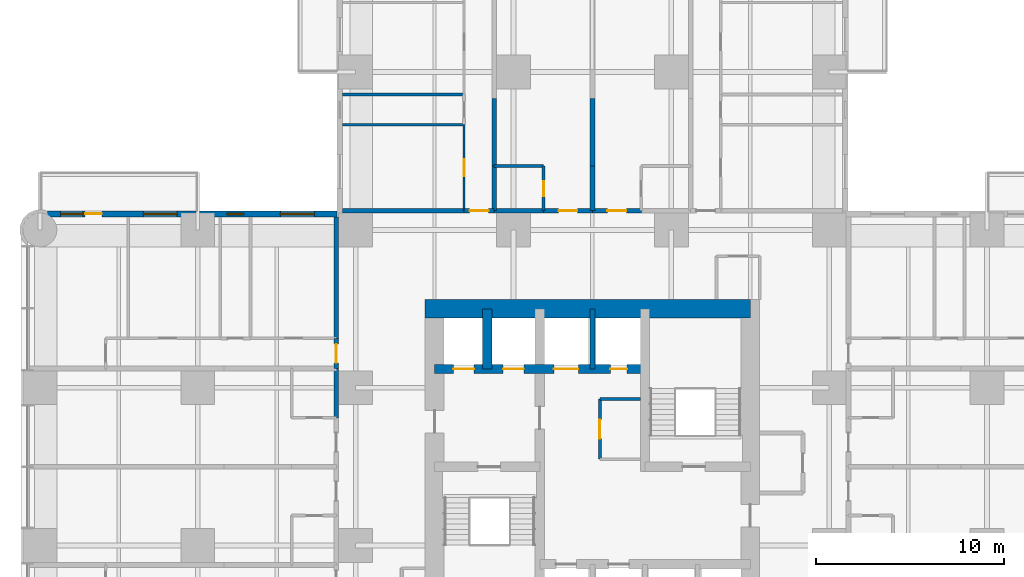
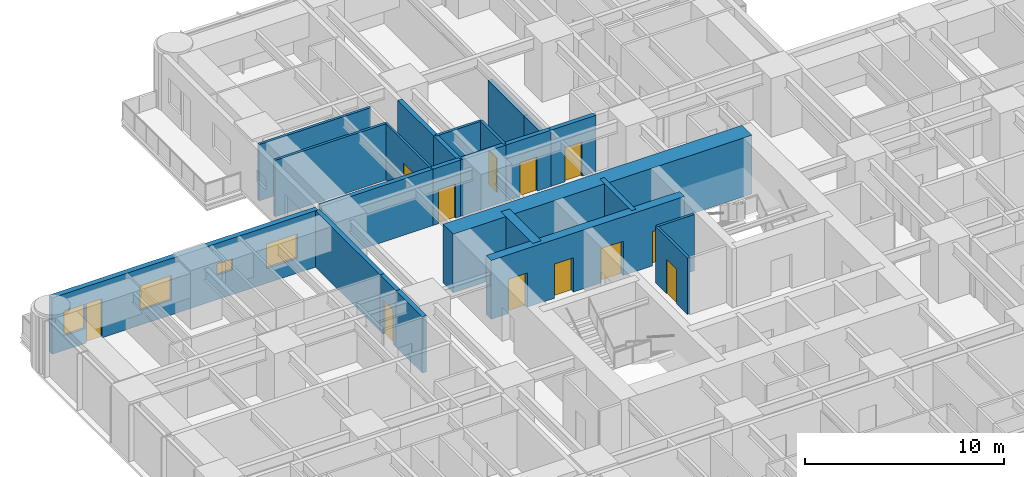
# One storey, part 12 of 17: 24 walls, 12 doors, 4 windows, 16 openings.
"""IFC4 building model written with IfcOpenShell, lengths in metres."""

import ifcopenshell
import ifcopenshell.guid

model = None  # the IFC model being written
_history = None  # IfcOwnerHistory: only IFC2X3 demands one
_inside = {}  # id of a spatial element -> (the spatial element, [elements in it])
_under = {}  # id of a project, library or spatial element -> (it, [spatial elements below it])
_declared = {}  # id of a project -> (the project, [libraries it declares])
_typed = {}  # id of a type object -> (the type object, [elements of that type])
_made_of = {}  # id of a material, layer set ... -> (it, [elements and type objects made of it])


def new_model(schema):
    """Start an empty IFC model of exactly this schema.

    Asked for "IFC4X3", IfcOpenShell would pick the latest addendum, in which some entities
    have other attributes; the version numbers below select the first issue.
    IFC2X3 requires an IfcOwnerHistory on every rooted entity: one is made here for all.
    """
    global model, _history
    if schema == "IFC4X3":
        model = ifcopenshell.file(schema_version=(4, 3, 0, 0))
    else:
        model = ifcopenshell.file(schema=schema)
    _inside.clear()
    _under.clear()
    _declared.clear()
    _typed.clear()
    _made_of.clear()
    _history = None
    if model.schema == "IFC2X3":
        org = make("IfcOrganization", Name="unknown")
        user = make(
            "IfcPersonAndOrganization",
            ThePerson=make("IfcPerson", FamilyName="unknown"),
            TheOrganization=org,
        )
        app = make(
            "IfcApplication",
            ApplicationDeveloper=org,
            Version="unknown",
            ApplicationFullName="unknown",
            ApplicationIdentifier="unknown",
        )
        _history = make(
            "IfcOwnerHistory",
            OwningUser=user,
            OwningApplication=app,
            ChangeAction="ADDED",
            CreationDate=0,
        )
    return model


def make(cls, **values):
    """One entity of the class cls with the attributes given. An attribute that is None is left unset."""
    return model.create_entity(
        cls, **{name: value for name, value in values.items() if value is not None}
    )


def rooted(cls, **values):
    """An entity with a GlobalId (a new one), such as an element, a storey or a relation."""
    return make(cls, GlobalId=ifcopenshell.guid.new(), OwnerHistory=_history, **values)


def si_unit(unit_type, name, prefix=None):
    """IfcSIUnit, for example si_unit("LENGTHUNIT", "METRE", prefix="MILLI")."""
    return make("IfcSIUnit", UnitType=unit_type, Prefix=prefix, Name=name)


def assignment(units):
    """IfcUnitAssignment: the units of a project."""
    return None if units is None else make("IfcUnitAssignment", Units=units)


def point(xyz):
    """IfcCartesianPoint."""
    return None if xyz is None else make("IfcCartesianPoint", Coordinates=xyz)


def direction(xyz):
    """IfcDirection."""
    return None if xyz is None else make("IfcDirection", DirectionRatios=xyz)


def frame(location, z_axis=None, x_axis=None):
    """IfcAxis2Placement3D, a coordinate frame: its origin and axes. An axis left out is left unset."""
    return make(
        "IfcAxis2Placement3D",
        Location=point(location),
        Axis=direction(z_axis),
        RefDirection=direction(x_axis),
    )


def frame_2d(location, x_axis=None):
    """IfcAxis2Placement2D, a coordinate frame in the plane: its origin and x axis."""
    return make(
        "IfcAxis2Placement2D", Location=point(location), RefDirection=direction(x_axis)
    )


def origin():
    """The frame at (0, 0, 0) with its axes left unset."""
    return frame((0.0, 0.0, 0.0))


def place(relative_to, where):
    """IfcLocalPlacement: puts the frame where relative to a parent placement (None: the world)."""
    return make(
        "IfcLocalPlacement", PlacementRelTo=relative_to, RelativePlacement=where
    )


def context(
    kind, dimensions, precision=None, world=None, true_north=None, identifier=None
):
    """IfcGeometricRepresentationContext, for example the 3D "Model" context."""
    return make(
        "IfcGeometricRepresentationContext",
        ContextIdentifier=identifier,
        ContextType=kind,
        CoordinateSpaceDimension=dimensions,
        Precision=precision,
        WorldCoordinateSystem=world,
        TrueNorth=true_north,
    )


def subcontext(parent, identifier, kind, view, scale=None):
    """IfcGeometricRepresentationSubContext, for example "Body" below "Model"."""
    return make(
        "IfcGeometricRepresentationSubContext",
        ContextIdentifier=identifier,
        ContextType=kind,
        ParentContext=parent,
        TargetScale=scale,
        TargetView=view,
    )


def project(units=None, contexts=None):
    """IfcProject with its units and contexts."""
    return rooted(
        "IfcProject",
        Name="project",
        RepresentationContexts=contexts,
        UnitsInContext=assignment(units),
    )


def spatial(cls, under=None, at=None, **own):
    """A site, building, storey or space (cls), placed at a placement, below another one or the project."""
    s = rooted(cls, ObjectPlacement=at, **own)
    if under is not None:
        _under.setdefault(under.id(), (under, []))[1].append(s)
    return s


def profile(cls, at=None, kind="AREA", **sizes):
    """A parametric profile (cls). Its sizes go by their IFC names, for example OverallWidth=200.0."""
    return make(cls, ProfileType=kind, Position=at, **sizes)


def rectangle(**sizes):
    """IfcRectangleProfileDef."""
    return profile("IfcRectangleProfileDef", **sizes)


def extrude(swept, where, along, depth):
    """IfcExtrudedAreaSolid: the profile swept, set in the frame where, extruded along a direction by depth."""
    return make(
        "IfcExtrudedAreaSolid",
        SweptArea=swept,
        Position=where,
        ExtrudedDirection=direction(along),
        Depth=depth,
    )


def shape(context_of_items, identifier, shape_type, items):
    """IfcShapeRepresentation: the items that make up one representation, for example the "Body"."""
    return make(
        "IfcShapeRepresentation",
        ContextOfItems=context_of_items,
        RepresentationIdentifier=identifier,
        RepresentationType=shape_type,
        Items=items,
    )


def material(Name=None, Category=None):
    """IfcMaterial."""
    return make("IfcMaterial", Name=Name, Category=Category)


def layer(
    of_material, thickness, ventilated=None, Name=None, Category=None, Priority=None
):
    """IfcMaterialLayer: one layer of a wall or slab, of a material (None: an air gap)."""
    return make(
        "IfcMaterialLayer",
        Material=of_material,
        LayerThickness=thickness,
        IsVentilated=ventilated,
        Name=Name,
        Category=Category,
        Priority=Priority,
    )


def layer_set(layers, Name=None):
    """IfcMaterialLayerSet."""
    return make("IfcMaterialLayerSet", MaterialLayers=layers, LayerSetName=Name)


def made_of(thing, what):
    """Note that an element or type object is made of a material, layer set ...; save() writes the relation."""
    if what is not None:
        _made_of.setdefault(what.id(), (what, []))[1].append(thing)
    return thing


def type_object(cls, material=None, **own):
    """A type object (cls), such as IfcWallType, which elements share."""
    return made_of(rooted(cls, **own), material)


def element(
    cls,
    number,
    at=None,
    inside=None,
    cuts=None,
    type_object=None,
    material=None,
    context=None,
    identifier="Body",
    shape_type=None,
    held_by="IfcProductDefinitionShape",
    body=None,
    shapes=None,
    **own,
):
    """One element of the class cls, such as IfcWall. Its Tag is "e" and its number.

    at: its placement. inside: the storey or other place that contains it. cuts: it is an
    opening in that element (IfcRelVoidsElement). A single representation is given by context,
    identifier, shape_type and body (its items); several are given by shapes. held_by: the class
    of the entity that holds the representations. save() writes the other relations.
    """
    e = rooted(cls, Tag="e%d" % number, ObjectPlacement=at, **own)
    if body is not None:
        shapes = [shape(context, identifier, shape_type, body)]
    if shapes is not None:
        e.Representation = make(held_by, Representations=shapes)
    if inside is not None:
        _inside.setdefault(inside.id(), (inside, []))[1].append(e)
    if cuts is not None:
        rooted(
            "IfcRelVoidsElement", RelatingBuildingElement=cuts, RelatedOpeningElement=e
        )
    if type_object is not None:
        _typed.setdefault(type_object.id(), (type_object, []))[1].append(e)
    return made_of(e, material)


def fill(opening, filler):
    """IfcRelFillsElement: the door or window that sits in an opening."""
    return rooted(
        "IfcRelFillsElement",
        RelatingOpeningElement=opening,
        RelatedBuildingElement=filler,
    )


def aggregate(whole, parts):
    """IfcRelAggregates: a whole, such as a stair, and the parts it consists of."""
    return rooted("IfcRelAggregates", RelatingObject=whole, RelatedObjects=parts)


def save(model, path):
    """Write the relations noted so far, then the file.

    IfcRelAggregates (storeys below a building ...), IfcRelContainedInSpatialStructure (elements
    in a storey), IfcRelDefinesByType, IfcRelAssociatesMaterial and IfcRelDeclares: one each for
    every whole, place, type object, material and project.
    """
    for whole, parts in _under.values():
        aggregate(whole, parts)
    for where, things in _inside.values():
        rooted(
            "IfcRelContainedInSpatialStructure",
            RelatedElements=things,
            RelatingStructure=where,
        )
    for kind, things in _typed.values():
        rooted("IfcRelDefinesByType", RelatedObjects=things, RelatingType=kind)
    for what, things in _made_of.values():
        rooted("IfcRelAssociatesMaterial", RelatedObjects=things, RelatingMaterial=what)
    for by, libraries in _declared.values():
        rooted("IfcRelDeclares", RelatingContext=by, RelatedDefinitions=libraries)
    model.write(path)


model = new_model("IFC4")

# Units and contexts
model_context = context("Model", 3, precision=1e-05, world=origin(), true_north=direction((0.0, 1.0)))
body_context = subcontext(model_context, "Body", "Model", "MODEL_VIEW")
ifc_project = project(units=[si_unit("LENGTHUNIT", "METRE"), si_unit("AREAUNIT", "SQUARE_METRE"), si_unit("VOLUMEUNIT", "CUBIC_METRE"), si_unit("PLANEANGLEUNIT", "RADIAN"), si_unit("MASSUNIT", "GRAM", prefix="KILO")], contexts=[model_context])

# Site, building, storey
site_placement = place(None, origin())
site = spatial("IfcSite", under=ifc_project, at=site_placement, CompositionType="ELEMENT")
building_placement = place(site_placement, origin())
building = spatial("IfcBuilding", under=site, at=building_placement, Name="Torre Alcanfor", CompositionType="ELEMENT")
storey_placement = place(building_placement, frame((0.0, 0.0, 84.89990234375)))
storey = spatial("IfcBuildingStorey", under=building, at=storey_placement, Name="L21", CompositionType="ELEMENT", Elevation=84.89990234375)

# Wall, opening, door
ifc_material_1 = material(Name="Concrete block masonry, hollow blocks NMX-C-404 9 MPa", Category="masonry")
ifc_layer_1 = layer(ifc_material_1, 0.25)
ifc_layer_set_1 = layer_set([ifc_layer_1], Name="Apartment entrance wall 250 EI 60")
wall_type_1 = type_object("IfcWallType", Name="Apartment entrance wall 250 EI 60", PredefinedType="PARTITIONING", material=ifc_layer_set_1)
wall_1_placement = place(storey_placement, frame((26.800048828125, 43.02490234375, 0.0), z_axis=(0.0, 0.0, 1.0), x_axis=(1.0, 0.0, 0.0)))
wall_1 = element("IfcWall", 1, at=wall_1_placement, inside=storey, type_object=wall_type_1, Name="Partition L21-CORR / L21-N1A-FOYER", PredefinedType="PARTITIONING", context=body_context, shape_type="SweptSolid", body=[
    extrude(rectangle(XDim=2.599853515625, YDim=0.25, at=frame_2d((1.2998046875, 0.0))), origin(), (0.0, 0.0, 1.0), 3.4501953125),
])
opening_1_placement = place(wall_1_placement, frame((0.800048828125, 0.0, 0.0)))
opening_1 = element("IfcOpeningElement", 2, at=opening_1_placement, cuts=wall_1, Name="Opening D-A1", PredefinedType="OPENING", context=body_context, shape_type="SweptSolid", body=[
    extrude(rectangle(XDim=1.0, YDim=2.10009765625, at=frame_2d((0.5, 1.050048828125))), frame((0.0, 0.135009765625, 0.0), z_axis=(0.0, -1.0, 0.0), x_axis=(1.0, 0.0, 0.0)), (0.0, 0.0, 1.0), 0.27001953125),
])
ifc_material_2 = material(Name="Galvanised steel sheet ASTM A653", Category="steel")
door_type_1 = type_object("IfcDoorType", Name="Apartment entrance door FD60 1000x2100", OperationType="SINGLE_SWING_LEFT", PredefinedType="DOOR", material=ifc_material_2)
door_1_placement = place(opening_1_placement, origin())
door_1 = element("IfcDoor", 3, at=door_1_placement, inside=storey, type_object=door_type_1, Name="Apartment entrance L21-N1A", OperationType="SINGLE_SWING_LEFT", OverallHeight=2.10009765625, OverallWidth=1.0, PredefinedType="DOOR", context=body_context, shape_type="SweptSolid", body=[
    extrude(rectangle(XDim=1.0, YDim=2.10009765625, at=frame_2d((0.5, 1.050048828125))), frame((0.0, 0.02490234375, 0.0), z_axis=(0.0, -1.0, 0.0), x_axis=(1.0, 0.0, 0.0)), (0.0, 0.0, 1.0), 0.050048828125),
])
fill(opening_1, door_1)

# Wall
wall_2_placement = place(storey_placement, frame((24.1708984375, 43.02490234375, 0.0), z_axis=(0.0, 0.0, 1.0), x_axis=(1.0, 0.0, 0.0)))
element("IfcWall", 4, at=wall_2_placement, inside=storey, type_object=wall_type_1, Name="Partition L21-CORR / L21-N1A-BATH", PredefinedType="PARTITIONING", context=body_context, shape_type="SweptSolid", body=[
    extrude(rectangle(XDim=2.629150390625, YDim=0.25, at=frame_2d((1.314453125, 0.0))), origin(), (0.0, 0.0, 1.0), 3.4501953125),
])

# Wall, opening, door
wall_3_placement = place(storey_placement, frame((22.571044921875, 43.02490234375, 0.0), z_axis=(0.0, 0.0, 1.0), x_axis=(1.0, 0.0, 0.0)))
wall_3 = element("IfcWall", 5, at=wall_3_placement, inside=storey, type_object=wall_type_1, Name="Partition L21-CORR / L21-N1B-HALL", PredefinedType="PARTITIONING", context=body_context, shape_type="SweptSolid", body=[
    extrude(rectangle(XDim=1.599853515625, YDim=0.25, at=frame_2d((0.7998046875, 0.0))), origin(), (0.0, 0.0, 1.0), 3.4501953125),
])
opening_2_placement = place(wall_3_placement, frame((0.300048828125, 0.0, 0.0)))
opening_2 = element("IfcOpeningElement", 6, at=opening_2_placement, cuts=wall_3, Name="Opening D-A1", PredefinedType="OPENING", context=body_context, shape_type="SweptSolid", body=[
    extrude(rectangle(XDim=1.0, YDim=2.10009765625, at=frame_2d((0.5, 1.050048828125))), frame((0.0, 0.135009765625, 0.0), z_axis=(0.0, -1.0, 0.0), x_axis=(1.0, 0.0, 0.0)), (0.0, 0.0, 1.0), 0.27001953125),
])
door_2_placement = place(opening_2_placement, origin())
door_2 = element("IfcDoor", 7, at=door_2_placement, inside=storey, type_object=door_type_1, Name="Apartment entrance L21-N1B", OperationType="SINGLE_SWING_LEFT", OverallHeight=2.10009765625, OverallWidth=1.0, PredefinedType="DOOR", context=body_context, shape_type="SweptSolid", body=[
    extrude(rectangle(XDim=1.0, YDim=2.10009765625, at=frame_2d((0.5, 1.050048828125))), frame((0.0, 0.02490234375, 0.0), z_axis=(0.0, -1.0, 0.0), x_axis=(1.0, 0.0, 0.0)), (0.0, 0.0, 1.0), 0.050048828125),
])
fill(opening_2, door_2)

# Wall
wall_4_placement = place(storey_placement, frame((16.10009765625, 43.02490234375, 0.0), z_axis=(0.0, 0.0, 1.0), x_axis=(1.0, 0.0, 0.0)))
element("IfcWall", 8, at=wall_4_placement, inside=storey, type_object=wall_type_1, Name="Partition L21-CORR / L21-N1B-BED2", PredefinedType="PARTITIONING", context=body_context, shape_type="SweptSolid", body=[
    extrude(rectangle(XDim=6.470947265625, YDim=0.25, at=frame_2d((3.2353515625, 0.0))), origin(), (0.0, 0.0, 1.0), 3.4501953125),
])

# Wall, opening, door
wall_5_placement = place(storey_placement, frame((29.39990234375, 43.02490234375, 0.0), z_axis=(0.0, 0.0, 1.0), x_axis=(1.0, 0.0, 0.0)))
wall_5 = element("IfcWall", 9, at=wall_5_placement, inside=storey, type_object=wall_type_1, Name="Partition L21-CORR / L21-N2A-FOYER", PredefinedType="PARTITIONING", context=body_context, shape_type="SweptSolid", body=[
    extrude(rectangle(XDim=2.60009765625, YDim=0.25, at=frame_2d((1.300048828125, 0.0))), origin(), (0.0, 0.0, 1.0), 3.4501953125),
])
opening_3_placement = place(wall_5_placement, frame((0.800048828125, 0.0, 0.0)))
opening_3 = element("IfcOpeningElement", 10, at=opening_3_placement, cuts=wall_5, Name="Opening D-A1", PredefinedType="OPENING", context=body_context, shape_type="SweptSolid", body=[
    extrude(rectangle(XDim=1.0, YDim=2.10009765625, at=frame_2d((0.5, 1.050048828125))), frame((0.0, 0.135009765625, 0.0), z_axis=(0.0, -1.0, 0.0), x_axis=(1.0, 0.0, 0.0)), (0.0, 0.0, 1.0), 0.27001953125),
])
door_3_placement = place(opening_3_placement, origin())
door_3 = element("IfcDoor", 11, at=door_3_placement, inside=storey, type_object=door_type_1, Name="Apartment entrance L21-N2A", OperationType="SINGLE_SWING_LEFT", OverallHeight=2.10009765625, OverallWidth=1.0, PredefinedType="DOOR", context=body_context, shape_type="SweptSolid", body=[
    extrude(rectangle(XDim=1.0, YDim=2.10009765625, at=frame_2d((0.5, 1.050048828125))), frame((0.0, 0.02490234375, 0.0), z_axis=(0.0, -1.0, 0.0), x_axis=(1.0, 0.0, 0.0)), (0.0, 0.0, 1.0), 0.050048828125),
])
fill(opening_3, door_3)

# Wall
wall_6_placement = place(storey_placement, frame((15.77490234375, 32.0, 0.0), z_axis=(0.0, 0.0, 1.0), x_axis=(0.0, 1.0, 0.0)))
element("IfcWall", 12, at=wall_6_placement, inside=storey, type_object=wall_type_1, Name="Partition L21-CORR / L21-W2A-BATH", PredefinedType="PARTITIONING", context=body_context, shape_type="SweptSolid", body=[
    extrude(rectangle(XDim=2.62890625, YDim=0.25, at=frame_2d((1.314453125, 0.0))), origin(), (0.0, 0.0, 1.0), 3.4501953125),
])

# Wall, opening, door
wall_7_placement = place(storey_placement, frame((15.77490234375, 34.62890625, 0.0), z_axis=(0.0, 0.0, 1.0), x_axis=(0.0, 1.0, 0.0)))
wall_7 = element("IfcWall", 13, at=wall_7_placement, inside=storey, type_object=wall_type_1, Name="Partition L21-CORR / L21-W2B-HALL", PredefinedType="PARTITIONING", context=body_context, shape_type="SweptSolid", body=[
    extrude(rectangle(XDim=1.60009765625, YDim=0.25, at=frame_2d((0.800048828125, 0.0))), origin(), (0.0, 0.0, 1.0), 3.4501953125),
])
opening_4_placement = place(wall_7_placement, frame((0.300048828125, 0.0, 0.0)))
opening_4 = element("IfcOpeningElement", 14, at=opening_4_placement, cuts=wall_7, Name="Opening D-A1", PredefinedType="OPENING", context=body_context, shape_type="SweptSolid", body=[
    extrude(rectangle(XDim=1.0, YDim=2.10009765625, at=frame_2d((0.5, 1.050048828125))), frame((0.0, 0.135009765625, 0.0), z_axis=(0.0, -1.0, 0.0), x_axis=(1.0, 0.0, 0.0)), (0.0, 0.0, 1.0), 0.27001953125),
])
door_4_placement = place(opening_4_placement, origin())
door_4 = element("IfcDoor", 15, at=door_4_placement, inside=storey, type_object=door_type_1, Name="Apartment entrance L21-W2B", OperationType="SINGLE_SWING_LEFT", OverallHeight=2.10009765625, OverallWidth=1.0, PredefinedType="DOOR", context=body_context, shape_type="SweptSolid", body=[
    extrude(rectangle(XDim=1.0, YDim=2.10009765625, at=frame_2d((0.5, 1.050048828125))), frame((0.0, 0.02490234375, 0.0), z_axis=(0.0, -1.0, 0.0), x_axis=(1.0, 0.0, 0.0)), (0.0, 0.0, 1.0), 0.050048828125),
])
fill(opening_4, door_4)

# Wall
wall_8_placement = place(storey_placement, frame((15.77490234375, 36.22900390625, 0.0), z_axis=(0.0, 0.0, 1.0), x_axis=(0.0, 1.0, 0.0)))
element("IfcWall", 16, at=wall_8_placement, inside=storey, type_object=wall_type_1, Name="Partition L21-CORR / L21-W2B-BED2", PredefinedType="PARTITIONING", context=body_context, shape_type="SweptSolid", body=[
    extrude(rectangle(XDim=6.470947265625, YDim=0.25, at=frame_2d((3.2353515625, 0.0))), origin(), (0.0, 0.0, 1.0), 3.4501953125),
])

# Wall, opening, door
ifc_material_3 = material(Name="Gypsum board on steel studs", Category="steel")
ifc_layer_2 = layer(ifc_material_3, 0.1201171875)
ifc_layer_set_2 = layer_set([ifc_layer_2], Name="Apartment partition 120")
wall_type_2 = type_object("IfcWallType", Name="Apartment partition 120", PredefinedType="PARTITIONING", material=ifc_layer_set_2)
wall_9_placement = place(storey_placement, frame((22.571044921875, 47.60009765625, 0.0), z_axis=(0.0, 0.0, 1.0), x_axis=(0.0, -1.0, 0.0)))
wall_9 = element("IfcWall", 17, at=wall_9_placement, inside=storey, type_object=wall_type_2, Name="Partition L21-N1B-HALL / L21-N1B-BED2", PredefinedType="PARTITIONING", context=body_context, shape_type="SweptSolid", body=[
    extrude(rectangle(XDim=4.5751953125, YDim=0.1201171875, at=frame_2d((2.28759765625, 0.0))), origin(), (0.0, 0.0, 1.0), 3.4501953125),
])
opening_5_placement = place(wall_9_placement, frame((1.85009765625, 0.0, 0.0)))
opening_5 = element("IfcOpeningElement", 18, at=opening_5_placement, cuts=wall_9, Name="Opening D-R1", PredefinedType="OPENING", context=body_context, shape_type="SweptSolid", body=[
    extrude(rectangle(XDim=0.89990234375, YDim=2.10009765625, at=frame_2d((0.449951171875, 1.050048828125))), frame((0.0, 0.070068359375, 0.0), z_axis=(0.0, -1.0, 0.0), x_axis=(1.0, 0.0, 0.0)), (0.0, 0.0, 1.0), 0.14013671875),
])
ifc_material_4 = material(Name="Timber", Category="wood")
door_type_2 = type_object("IfcDoorType", Name="Internal door 900x2100", OperationType="SINGLE_SWING_LEFT", PredefinedType="DOOR", material=ifc_material_4)
door_5_placement = place(opening_5_placement, frame((0.89990234375, 0.0, 0.0), z_axis=(0.0, 0.0, 1.0), x_axis=(-1.0, 0.0, 0.0)))
door_5 = element("IfcDoor", 19, at=door_5_placement, inside=storey, type_object=door_type_2, Name="Door L21-N1B bed2", OperationType="SINGLE_SWING_LEFT", OverallHeight=2.10009765625, OverallWidth=0.89990234375, PredefinedType="DOOR", context=body_context, shape_type="SweptSolid", body=[
    extrude(rectangle(XDim=0.89990234375, YDim=2.10009765625, at=frame_2d((0.449951171875, 1.050048828125))), frame((0.0, 0.025146484375, 0.0), z_axis=(0.0, -1.0, 0.0), x_axis=(1.0, 0.0, 0.0)), (0.0, 0.0, 1.0), 0.050048828125),
])
fill(opening_5, door_5)

# Wall, openings, doors
ifc_material_5 = material(Name="Concrete f'c 70 MPa", Category="concrete")
ifc_layer_3 = layer(ifc_material_5, 0.5)
ifc_layer_set_3 = layer_set([ifc_layer_3], Name="Core inner wall 500 f'c70")
wall_type_3 = type_object("IfcWallType", Name="Core inner wall 500 f'c70", PredefinedType="SHEAR", material=ifc_layer_set_3)
wall_10_placement = place(storey_placement, frame((21.0, 34.60009765625, 0.0), z_axis=(0.0, 0.0, 1.0), x_axis=(1.0, 0.0, 0.0)))
wall_10 = element("IfcWall", 20, at=wall_10_placement, inside=storey, type_object=wall_type_3, Name="Core wall Y346 L21", PredefinedType="SHEAR", context=body_context, shape_type="SweptSolid", body=[
    extrude(rectangle(XDim=11.199951171875, YDim=0.5, at=frame_2d((5.60009765625, 0.0))), origin(), (0.0, 0.0, 1.0), 3.60009765625),
])
opening_6_placement = place(wall_10_placement, frame((9.35009765625, 0.0, 0.0)))
opening_6 = element("IfcOpeningElement", 21, at=opening_6_placement, cuts=wall_10, Name="Opening D-Q1", PredefinedType="OPENING", context=body_context, shape_type="SweptSolid", body=[
    extrude(rectangle(XDim=0.89990234375, YDim=2.10009765625, at=frame_2d((0.449951171875, 1.050048828125))), frame((0.0, 0.260009765625, 0.0), z_axis=(0.0, -1.0, 0.0), x_axis=(1.0, 0.0, 0.0)), (0.0, 0.0, 1.0), 0.52001953125),
])
opening_7_placement = place(wall_10_placement, frame((1.0, 0.0, 0.0)))
opening_7 = element("IfcOpeningElement", 22, at=opening_7_placement, cuts=wall_10, Name="Opening LD2", PredefinedType="OPENING", context=body_context, shape_type="SweptSolid", body=[
    extrude(rectangle(XDim=1.10009765625, YDim=2.10009765625, at=frame_2d((0.550048828125, 1.050048828125))), frame((0.0, 0.260009765625, 0.0), z_axis=(0.0, -1.0, 0.0), x_axis=(1.0, 0.0, 0.0)), (0.0, 0.0, 1.0), 0.52001953125),
])
opening_8_placement = place(wall_10_placement, frame((3.64990234375, 0.0, 0.0)))
opening_8 = element("IfcOpeningElement", 23, at=opening_8_placement, cuts=wall_10, Name="Opening LD2", PredefinedType="OPENING", context=body_context, shape_type="SweptSolid", body=[
    extrude(rectangle(XDim=1.10009765625, YDim=2.10009765625, at=frame_2d((0.550048828125, 1.050048828125))), frame((0.0, 0.260009765625, 0.0), z_axis=(0.0, -1.0, 0.0), x_axis=(1.0, 0.0, 0.0)), (0.0, 0.0, 1.0), 0.52001953125),
])
opening_9_placement = place(wall_10_placement, frame((6.35009765625, 0.0, 0.0)))
opening_9 = element("IfcOpeningElement", 24, at=opening_9_placement, cuts=wall_10, Name="Opening LD3", PredefinedType="OPENING", context=body_context, shape_type="SweptSolid", body=[
    extrude(rectangle(XDim=1.300048828125, YDim=2.10009765625, at=frame_2d((0.64990234375, 1.050048828125))), frame((0.0, 0.260009765625, 0.0), z_axis=(0.0, -1.0, 0.0), x_axis=(1.0, 0.0, 0.0)), (0.0, 0.0, 1.0), 0.52001953125),
])
ifc_material_6 = material(Name="Galvanised steel sheet ASTM A653", Category="steel")
door_type_3 = type_object("IfcDoorType", Name="Firefighting lift landing door 1100x2100", OperationType="DOUBLE_DOOR_SLIDING", PredefinedType="DOOR", material=ifc_material_6)
door_6_placement = place(opening_7_placement, origin())
door_6 = element("IfcDoor", 25, at=door_6_placement, inside=storey, type_object=door_type_3, Name="Lift landing door FL1 L21", OperationType="DOUBLE_DOOR_SLIDING", OverallHeight=2.10009765625, OverallWidth=1.10009765625, PredefinedType="DOOR", context=body_context, shape_type="SweptSolid", body=[
    extrude(rectangle(XDim=1.10009765625, YDim=2.10009765625, at=frame_2d((0.550048828125, 1.050048828125))), frame((0.0, 0.02490234375, 0.0), z_axis=(0.0, -1.0, 0.0), x_axis=(1.0, 0.0, 0.0)), (0.0, 0.0, 1.0), 0.050048828125),
])
fill(opening_7, door_6)
door_7_placement = place(opening_8_placement, origin())
door_7 = element("IfcDoor", 26, at=door_7_placement, inside=storey, type_object=door_type_3, Name="Lift landing door FL2 L21", OperationType="DOUBLE_DOOR_SLIDING", OverallHeight=2.10009765625, OverallWidth=1.10009765625, PredefinedType="DOOR", context=body_context, shape_type="SweptSolid", body=[
    extrude(rectangle(XDim=1.10009765625, YDim=2.10009765625, at=frame_2d((0.550048828125, 1.050048828125))), frame((0.0, 0.02490234375, 0.0), z_axis=(0.0, -1.0, 0.0), x_axis=(1.0, 0.0, 0.0)), (0.0, 0.0, 1.0), 0.050048828125),
])
fill(opening_8, door_7)
ifc_material_7 = material(Name="Galvanised steel sheet ASTM A653", Category="steel")
door_type_4 = type_object("IfcDoorType", Name="Riser access door FD120 900x2100", OperationType="SINGLE_SWING_LEFT", PredefinedType="DOOR", material=ifc_material_7)
door_8_placement = place(opening_6_placement, origin())
door_8 = element("IfcDoor", 27, at=door_8_placement, inside=storey, type_object=door_type_4, Name="Riser door L21", OperationType="SINGLE_SWING_LEFT", OverallHeight=2.10009765625, OverallWidth=0.89990234375, PredefinedType="DOOR", context=body_context, shape_type="SweptSolid", body=[
    extrude(rectangle(XDim=0.89990234375, YDim=2.10009765625, at=frame_2d((0.449951171875, 1.050048828125))), frame((0.0, 0.02490234375, 0.0), z_axis=(0.0, -1.0, 0.0), x_axis=(1.0, 0.0, 0.0)), (0.0, 0.0, 1.0), 0.050048828125),
])
fill(opening_6, door_8)
ifc_material_8 = material(Name="Galvanised steel sheet ASTM A653", Category="steel")
door_type_5 = type_object("IfcDoorType", Name="Service lift landing door 1300x2100", OperationType="DOUBLE_DOOR_SLIDING", PredefinedType="DOOR", material=ifc_material_8)
door_9_placement = place(opening_9_placement, origin())
door_9 = element("IfcDoor", 28, at=door_9_placement, inside=storey, type_object=door_type_5, Name="Lift landing door SL1 L21", OperationType="DOUBLE_DOOR_SLIDING", OverallHeight=2.10009765625, OverallWidth=1.300048828125, PredefinedType="DOOR", context=body_context, shape_type="SweptSolid", body=[
    extrude(rectangle(XDim=1.300048828125, YDim=2.10009765625, at=frame_2d((0.64990234375, 1.050048828125))), frame((0.0, 0.02490234375, 0.0), z_axis=(0.0, -1.0, 0.0), x_axis=(1.0, 0.0, 0.0)), (0.0, 0.0, 1.0), 0.050048828125),
])
fill(opening_9, door_9)

# Walls
wall_11_placement = place(storey_placement, frame((23.800048828125, 34.60009765625, 0.0), z_axis=(0.0, 0.0, 1.0), x_axis=(0.0, 1.0, 0.0)))
element("IfcWall", 29, at=wall_11_placement, inside=storey, type_object=wall_type_3, Name="Core wall X238 L21", PredefinedType="SHEAR", context=body_context, shape_type="SweptSolid", body=[
    extrude(rectangle(XDim=3.199951171875, YDim=0.5, at=frame_2d((1.60009765625, 0.0))), origin(), (0.0, 0.0, 1.0), 3.60009765625),
])
ifc_material_9 = material(Name="Concrete f'c 70 MPa", Category="concrete")
ifc_layer_4 = layer(ifc_material_9, 0.25)
ifc_layer_set_4 = layer_set([ifc_layer_4], Name="Core shaft wall 250 f'c70")
wall_type_4 = type_object("IfcWallType", Name="Core shaft wall 250 f'c70", PredefinedType="SHEAR", material=ifc_layer_set_4)
wall_12_placement = place(storey_placement, frame((29.39990234375, 34.60009765625, 0.0), z_axis=(0.0, 0.0, 1.0), x_axis=(0.0, 1.0, 0.0)))
element("IfcWall", 30, at=wall_12_placement, inside=storey, type_object=wall_type_4, Name="Core wall X294N L21", PredefinedType="SHEAR", context=body_context, shape_type="SweptSolid", body=[
    extrude(rectangle(XDim=3.199951171875, YDim=0.25, at=frame_2d((1.60009765625, 0.0))), origin(), (0.0, 0.0, 1.0), 3.60009765625),
])
ifc_material_10 = material(Name="Concrete f'c 70 MPa", Category="concrete")
ifc_layer_5 = layer(ifc_material_10, 1.0)
ifc_layer_set_5 = layer_set([ifc_layer_5], Name="Core wall 1000 f'c70")
wall_type_5 = type_object("IfcWallType", Name="Core wall 1000 f'c70", PredefinedType="SHEAR", material=ifc_layer_set_5)
wall_13_placement = place(storey_placement, frame((37.800048828125, 37.800048828125, 0.0), z_axis=(0.0, 0.0, 1.0), x_axis=(-1.0, 0.0, 0.0)))
element("IfcWall", 31, at=wall_13_placement, inside=storey, type_object=wall_type_5, Name="Core wall OUT-N L21", PredefinedType="SHEAR", context=body_context, shape_type="SweptSolid", body=[
    extrude(rectangle(XDim=17.300048828125, YDim=1.0, at=frame_2d((8.64990234375, 0.0))), origin(), (0.0, 0.0, 1.0), 3.60009765625),
])

# Wall, openings, door, windows
ifc_material_11 = material(Name="Limestone cladding", Category="masonry")
ifc_layer_6 = layer(ifc_material_11, 0.0400390625, Name="Facing")
ifc_material_12 = material(Name="Ventilated air cavity")
ifc_layer_7 = layer(ifc_material_12, 0.02001953125, ventilated=True, Name="Ventilated joint")
ifc_material_13 = material(Name="Mineral wool insulation", Category="insulation")
ifc_layer_8 = layer(ifc_material_13, 0.10009765625, Name="Insulation")
ifc_material_14 = material(Name="Concrete f'c 35 MPa", Category="concrete")
ifc_layer_9 = layer(ifc_material_14, 0.139892578125, Name="Backing")
ifc_layer_set_6 = layer_set([ifc_layer_6, ifc_layer_7, ifc_layer_8, ifc_layer_9], Name="External wall stone-clad 300")
wall_type_6 = type_object("IfcWallType", Name="External wall stone-clad 300", PredefinedType="SOLIDWALL", material=ifc_layer_set_6)
wall_14_placement = place(storey_placement, frame((15.800048828125, 42.85009765625, 0.0), z_axis=(0.0, 0.0, 1.0), x_axis=(-1.0, 0.0, 0.0)))
wall_14 = element("IfcWall", 32, at=wall_14_placement, inside=storey, type_object=wall_type_6, Name="External wall L21 1", PredefinedType="SOLIDWALL", context=body_context, shape_type="SweptSolid", body=[
    extrude(rectangle(XDim=15.400146484375, YDim=0.300048828125, at=frame_2d((7.7001953125, 0.0))), origin(), (0.0, 0.0, 1.0), 3.4501953125),
])
opening_10_placement = place(wall_14_placement, frame((1.199951171875, 0.0, 0.89990234375)))
opening_10 = element("IfcOpeningElement", 33, at=opening_10_placement, cuts=wall_14, Name="Opening W2", PredefinedType="OPENING", context=body_context, shape_type="SweptSolid", body=[
    extrude(rectangle(XDim=1.800048828125, YDim=1.5, at=frame_2d((0.89990234375, 0.75))), frame((0.0, 0.159912109375, 0.0), z_axis=(0.0, -1.0, 0.0), x_axis=(1.0, 0.0, 0.0)), (0.0, 0.0, 1.0), 0.320068359375),
])
opening_11_placement = place(wall_14_placement, frame((4.949951171875, 0.0, 1.5)))
opening_11 = element("IfcOpeningElement", 34, at=opening_11_placement, cuts=wall_14, Name="Opening W3", PredefinedType="OPENING", context=body_context, shape_type="SweptSolid", body=[
    extrude(rectangle(XDim=0.89990234375, YDim=0.699951171875, at=frame_2d((0.449951171875, 0.35009765625))), frame((0.0, 0.159912109375, 0.0), z_axis=(0.0, -1.0, 0.0), x_axis=(1.0, 0.0, 0.0)), (0.0, 0.0, 1.0), 0.320068359375),
])
opening_12_placement = place(wall_14_placement, frame((8.5, 0.0, 0.89990234375)))
opening_12 = element("IfcOpeningElement", 35, at=opening_12_placement, cuts=wall_14, Name="Opening W2", PredefinedType="OPENING", context=body_context, shape_type="SweptSolid", body=[
    extrude(rectangle(XDim=1.800048828125, YDim=1.5, at=frame_2d((0.89990234375, 0.75))), frame((0.0, 0.159912109375, 0.0), z_axis=(0.0, -1.0, 0.0), x_axis=(1.0, 0.0, 0.0)), (0.0, 0.0, 1.0), 0.320068359375),
])
opening_13_placement = place(wall_14_placement, frame((12.5, 0.0, 0.0)))
opening_13 = element("IfcOpeningElement", 36, at=opening_13_placement, cuts=wall_14, Name="Opening D-B1", PredefinedType="OPENING", context=body_context, shape_type="SweptSolid", body=[
    extrude(rectangle(XDim=0.89990234375, YDim=2.39990234375, at=frame_2d((0.449951171875, 1.199951171875))), frame((0.0, 0.159912109375, 0.0), z_axis=(0.0, -1.0, 0.0), x_axis=(1.0, 0.0, 0.0)), (0.0, 0.0, 1.0), 0.320068359375),
])
opening_14_placement = place(wall_14_placement, frame((13.5, 0.0, 0.89990234375)))
opening_14 = element("IfcOpeningElement", 37, at=opening_14_placement, cuts=wall_14, Name="Opening W4", PredefinedType="OPENING", context=body_context, shape_type="SweptSolid", body=[
    extrude(rectangle(XDim=1.199951171875, YDim=1.5, at=frame_2d((0.60009765625, 0.75))), frame((0.0, 0.159912109375, 0.0), z_axis=(0.0, -1.0, 0.0), x_axis=(1.0, 0.0, 0.0)), (0.0, 0.0, 1.0), 0.320068359375),
])
ifc_material_15 = material(Name="Aluminium and glass", Category="aluminium")
door_type_6 = type_object("IfcDoorType", Name="Balcony door glazed 900x2400", OperationType="SINGLE_SWING_LEFT", PredefinedType="DOOR", material=ifc_material_15)
door_10_placement = place(opening_13_placement, origin())
door_10 = element("IfcDoor", 38, at=door_10_placement, inside=storey, type_object=door_type_6, Name="Balcony door L21-W2", OperationType="SINGLE_SWING_LEFT", OverallHeight=2.39990234375, OverallWidth=0.89990234375, PredefinedType="DOOR", context=body_context, shape_type="SweptSolid", body=[
    extrude(rectangle(XDim=0.89990234375, YDim=2.39990234375, at=frame_2d((0.449951171875, 1.199951171875))), frame((0.0, 0.02490234375, 0.0), z_axis=(0.0, -1.0, 0.0), x_axis=(1.0, 0.0, 0.0)), (0.0, 0.0, 1.0), 0.050048828125),
])
fill(opening_13, door_10)
ifc_material_16 = material(Name="Aluminium frame with clear double glazing", Category="aluminium")
window_type_1 = type_object("IfcWindowType", Name="Window bathroom 900x700", PartitioningType="SINGLE_PANEL", PredefinedType="WINDOW", material=ifc_material_16)
window_1_placement = place(opening_11_placement, origin())
window_1 = element("IfcWindow", 39, at=window_1_placement, inside=storey, type_object=window_type_1, Name="Window W3 L21-W2", OverallHeight=0.699951171875, OverallWidth=0.89990234375, PartitioningType="SINGLE_PANEL", PredefinedType="WINDOW", context=body_context, shape_type="SweptSolid", body=[
    extrude(rectangle(XDim=0.89990234375, YDim=0.699951171875, at=frame_2d((0.449951171875, 0.35009765625))), frame((0.0, 0.030029296875, 0.0), z_axis=(0.0, -1.0, 0.0), x_axis=(1.0, 0.0, 0.0)), (0.0, 0.0, 1.0), 0.06005859375),
])
fill(opening_11, window_1)
ifc_material_17 = material(Name="Aluminium frame with clear double glazing", Category="aluminium")
window_type_2 = type_object("IfcWindowType", Name="Window bedroom 1200x1500", PartitioningType="SINGLE_PANEL", PredefinedType="WINDOW", material=ifc_material_17)
window_2_placement = place(opening_14_placement, origin())
window_2 = element("IfcWindow", 40, at=window_2_placement, inside=storey, type_object=window_type_2, Name="Window W4 L21-W2", OverallHeight=1.5, OverallWidth=1.199951171875, PartitioningType="SINGLE_PANEL", PredefinedType="WINDOW", context=body_context, shape_type="SweptSolid", body=[
    extrude(rectangle(XDim=1.199951171875, YDim=1.5, at=frame_2d((0.60009765625, 0.75))), frame((0.0, 0.030029296875, 0.0), z_axis=(0.0, -1.0, 0.0), x_axis=(1.0, 0.0, 0.0)), (0.0, 0.0, 1.0), 0.06005859375),
])
fill(opening_14, window_2)
ifc_material_18 = material(Name="Aluminium frame with clear double glazing", Category="aluminium")
window_type_3 = type_object("IfcWindowType", Name="Window bedroom 1800x1500", PartitioningType="SINGLE_PANEL", PredefinedType="WINDOW", material=ifc_material_18)
window_3_placement = place(opening_10_placement, origin())
window_3 = element("IfcWindow", 41, at=window_3_placement, inside=storey, type_object=window_type_3, Name="Window W2 L21-W2", OverallHeight=1.5, OverallWidth=1.800048828125, PartitioningType="SINGLE_PANEL", PredefinedType="WINDOW", context=body_context, shape_type="SweptSolid", body=[
    extrude(rectangle(XDim=1.800048828125, YDim=1.5, at=frame_2d((0.89990234375, 0.75))), frame((0.0, 0.030029296875, 0.0), z_axis=(0.0, -1.0, 0.0), x_axis=(1.0, 0.0, 0.0)), (0.0, 0.0, 1.0), 0.06005859375),
])
fill(opening_10, window_3)
window_4_placement = place(opening_12_placement, origin())
window_4 = element("IfcWindow", 42, at=window_4_placement, inside=storey, type_object=window_type_3, Name="Window W2 L21-W2", OverallHeight=1.5, OverallWidth=1.800048828125, PartitioningType="SINGLE_PANEL", PredefinedType="WINDOW", context=body_context, shape_type="SweptSolid", body=[
    extrude(rectangle(XDim=1.800048828125, YDim=1.5, at=frame_2d((0.89990234375, 0.75))), frame((0.0, 0.030029296875, 0.0), z_axis=(0.0, -1.0, 0.0), x_axis=(1.0, 0.0, 0.0)), (0.0, 0.0, 1.0), 0.06005859375),
])
fill(opening_12, window_4)

# Walls
ifc_material_19 = material(Name="Concrete block masonry, hollow blocks NMX-C-404 9 MPa", Category="masonry")
ifc_layer_10 = layer(ifc_material_19, 0.25)
ifc_layer_set_7 = layer_set([ifc_layer_10], Name="Party wall 250 EI 60")
wall_type_7 = type_object("IfcWallType", Name="Party wall 250 EI 60", PredefinedType="PARTITIONING", material=ifc_layer_set_7)
wall_15_placement = place(storey_placement, frame((29.39990234375, 43.02490234375, 0.0), z_axis=(0.0, 0.0, 1.0), x_axis=(0.0, 1.0, 0.0)))
element("IfcWall", 43, at=wall_15_placement, inside=storey, type_object=wall_type_7, Name="Partition L21-N1A-FOYER / L21-N2A-FOYER", PredefinedType="PARTITIONING", context=body_context, shape_type="SweptSolid", body=[
    extrude(rectangle(XDim=2.375, YDim=0.25, at=frame_2d((1.1875, 0.0))), origin(), (0.0, 0.0, 1.0), 2.84814453125),
])
wall_16_placement = place(storey_placement, frame((24.1708984375, 45.39990234375, 0.0), z_axis=(0.0, 0.0, 1.0), x_axis=(0.0, -1.0, 0.0)))
element("IfcWall", 44, at=wall_16_placement, inside=storey, type_object=wall_type_7, Name="Partition L21-N1A-BATH / L21-N1B-HALL", PredefinedType="PARTITIONING", context=body_context, shape_type="SweptSolid", body=[
    extrude(rectangle(XDim=2.375, YDim=0.25, at=frame_2d((1.1875, 0.0))), origin(), (0.0, 0.0, 1.0), 3.4501953125),
])
wall_17_placement = place(storey_placement, frame((24.1708984375, 49.0, 0.0), z_axis=(0.0, 0.0, 1.0), x_axis=(0.0, -1.0, 0.0)))
element("IfcWall", 45, at=wall_17_placement, inside=storey, type_object=wall_type_7, Name="Partition L21-N1A-KITCHEN / L21-N1B-HALL", PredefinedType="PARTITIONING", context=body_context, shape_type="SweptSolid", body=[
    extrude(rectangle(XDim=3.60009765625, YDim=0.25, at=frame_2d((1.800048828125, 0.0))), origin(), (0.0, 0.0, 1.0), 3.4501953125),
])
wall_18_placement = place(storey_placement, frame((29.39990234375, 45.39990234375, 0.0), z_axis=(0.0, 0.0, 1.0), x_axis=(0.0, 1.0, 0.0)))
element("IfcWall", 46, at=wall_18_placement, inside=storey, type_object=wall_type_7, Name="Partition L21-N1A-KITCHEN / L21-N2A-KITCHEN", PredefinedType="PARTITIONING", context=body_context, shape_type="SweptSolid", body=[
    extrude(rectangle(XDim=3.60009765625, YDim=0.25, at=frame_2d((1.800048828125, 0.0))), origin(), (0.0, 0.0, 1.0), 2.84814453125),
])

# Wall, opening, door
ifc_material_20 = material(Name="Concrete block masonry, hollow blocks NMX-C-404 9 MPa", Category="masonry")
ifc_layer_11 = layer(ifc_material_20, 0.14990234375)
ifc_layer_set_8 = layer_set([ifc_layer_11], Name="Residents' room partition 150")
wall_type_8 = type_object("IfcWallType", Name="Residents' room partition 150", PredefinedType="PARTITIONING", material=ifc_layer_set_8)
wall_19_placement = place(storey_placement, frame((29.800048828125, 29.800048828125, 0.0), z_axis=(0.0, 0.0, 1.0), x_axis=(0.0, 1.0, 0.0)))
wall_19 = element("IfcWall", 47, at=wall_19_placement, inside=storey, type_object=wall_type_8, Name="Partition L21-LL / L21-CR1", PredefinedType="PARTITIONING", context=body_context, shape_type="SweptSolid", body=[
    extrude(rectangle(XDim=3.199951171875, YDim=0.14990234375, at=frame_2d((1.60009765625, 0.0))), origin(), (0.0, 0.0, 1.0), 3.4501953125),
])
opening_15_placement = place(wall_19_placement, frame((1.10009765625, 0.0, 0.0)))
opening_15 = element("IfcOpeningElement", 48, at=opening_15_placement, cuts=wall_19, Name="Opening D-M1", PredefinedType="OPENING", context=body_context, shape_type="SweptSolid", body=[
    extrude(rectangle(XDim=1.0, YDim=2.10009765625, at=frame_2d((0.5, 1.050048828125))), frame((0.0, 0.0849609375, 0.0), z_axis=(0.0, -1.0, 0.0), x_axis=(1.0, 0.0, 0.0)), (0.0, 0.0, 1.0), 0.169921875),
])
ifc_material_21 = material(Name="Timber", Category="wood")
door_type_7 = type_object("IfcDoorType", Name="Residents' room door 1000x2100", OperationType="SINGLE_SWING_LEFT", PredefinedType="DOOR", material=ifc_material_21)
door_11_placement = place(opening_15_placement, frame((1.0, 0.0, 0.0), z_axis=(0.0, 0.0, 1.0), x_axis=(-1.0, 0.0, 0.0)))
door_11 = element("IfcDoor", 49, at=door_11_placement, inside=storey, type_object=door_type_7, Name="Residents' parcel room door L21", OperationType="SINGLE_SWING_RIGHT", OverallHeight=2.10009765625, OverallWidth=1.0, PredefinedType="DOOR", context=body_context, shape_type="SweptSolid", body=[
    extrude(rectangle(XDim=1.0, YDim=2.10009765625, at=frame_2d((0.5, 1.050048828125))), frame((0.0, 0.025146484375, 0.0), z_axis=(0.0, -1.0, 0.0), x_axis=(1.0, 0.0, 0.0)), (0.0, 0.0, 1.0), 0.050048828125),
])
fill(opening_15, door_11)

# Wall
wall_20_placement = place(storey_placement, frame((29.800048828125, 33.0, 0.0), z_axis=(0.0, 0.0, 1.0), x_axis=(1.0, 0.0, 0.0)))
element("IfcWall", 50, at=wall_20_placement, inside=storey, type_object=wall_type_8, Name="Partition L21-LL / L21-CR1", PredefinedType="PARTITIONING", context=body_context, shape_type="SweptSolid", body=[
    extrude(rectangle(XDim=2.14990234375, YDim=0.14990234375, at=frame_2d((1.074951171875, 0.0))), origin(), (0.0, 0.0, 1.0), 3.4501953125),
])

# Wall, opening, door
ifc_material_22 = material(Name="Cement board on steel studs", Category="steel")
ifc_layer_12 = layer(ifc_material_22, 0.14990234375)
ifc_layer_set_9 = layer_set([ifc_layer_12], Name="Wet area partition 150")
wall_type_9 = type_object("IfcWallType", Name="Wet area partition 150", PredefinedType="PARTITIONING", material=ifc_layer_set_9)
wall_21_placement = place(storey_placement, frame((26.800048828125, 45.39990234375, 0.0), z_axis=(0.0, 0.0, 1.0), x_axis=(0.0, -1.0, 0.0)))
wall_21 = element("IfcWall", 51, at=wall_21_placement, inside=storey, type_object=wall_type_9, Name="Partition L21-N1A-FOYER / L21-N1A-BATH", PredefinedType="PARTITIONING", context=body_context, shape_type="SweptSolid", body=[
    extrude(rectangle(XDim=2.375, YDim=0.14990234375, at=frame_2d((1.1875, 0.0))), origin(), (0.0, 0.0, 1.0), 3.4501953125),
])
opening_16_placement = place(wall_21_placement, frame((0.800048828125, 0.0, 0.0)))
opening_16 = element("IfcOpeningElement", 52, at=opening_16_placement, cuts=wall_21, Name="Opening D-R2", PredefinedType="OPENING", context=body_context, shape_type="SweptSolid", body=[
    extrude(rectangle(XDim=0.800048828125, YDim=2.10009765625, at=frame_2d((0.39990234375, 1.050048828125))), frame((0.0, 0.0849609375, 0.0), z_axis=(0.0, -1.0, 0.0), x_axis=(1.0, 0.0, 0.0)), (0.0, 0.0, 1.0), 0.169921875),
])
ifc_material_23 = material(Name="Timber", Category="wood")
door_type_8 = type_object("IfcDoorType", Name="Bathroom door 800x2100", OperationType="SINGLE_SWING_LEFT", PredefinedType="DOOR", material=ifc_material_23)
door_12_placement = place(opening_16_placement, frame((0.800048828125, 0.0, 0.0), z_axis=(0.0, 0.0, 1.0), x_axis=(-1.0, 0.0, 0.0)))
door_12 = element("IfcDoor", 53, at=door_12_placement, inside=storey, type_object=door_type_8, Name="Door L21-N1A bath", OperationType="SINGLE_SWING_LEFT", OverallHeight=2.10009765625, OverallWidth=0.800048828125, PredefinedType="DOOR", context=body_context, shape_type="SweptSolid", body=[
    extrude(rectangle(XDim=0.800048828125, YDim=2.10009765625, at=frame_2d((0.400146484375, 1.050048828125))), frame((0.0, 0.025146484375, 0.0), z_axis=(0.0, -1.0, 0.0), x_axis=(1.0, 0.0, 0.0)), (0.0, 0.0, 1.0), 0.050048828125),
])
fill(opening_16, door_12)

# Walls
wall_22_placement = place(storey_placement, frame((26.800048828125, 45.39990234375, 0.0), z_axis=(0.0, 0.0, 1.0), x_axis=(-1.0, 0.0, 0.0)))
element("IfcWall", 54, at=wall_22_placement, inside=storey, type_object=wall_type_9, Name="Partition L21-N1A-BATH / L21-N1A-KITCHEN", PredefinedType="PARTITIONING", context=body_context, shape_type="SweptSolid", body=[
    extrude(rectangle(XDim=2.629150390625, YDim=0.14990234375, at=frame_2d((1.314453125, 0.0))), origin(), (0.0, 0.0, 1.0), 3.4501953125),
])
for number, where, z_axis, x_axis, name in (
    (55, (22.571044921875, 47.60009765625, 0.0), (0.0, 0.0, 1.0), (-1.0, 0.0, 0.0), "Partition L21-N1B-BED2 / L21-N1B-BATH"),
    (56, (22.571044921875, 49.199951171875, 0.0), (0.0, 0.0, 1.0), (-1.0, 0.0, 0.0), "Partition L21-N1B-BATH / L21-N1B-MASTER"),
):
    element("IfcWall", number, at=place(storey_placement, frame(where, z_axis=z_axis, x_axis=x_axis)), inside=storey, type_object=wall_type_9, Name=name, PredefinedType="PARTITIONING", context=body_context, shape_type="SweptSolid", body=[
        extrude(rectangle(XDim=6.470947265625, YDim=0.14990234375, at=frame_2d((3.2353515625, 0.0))), origin(), (0.0, 0.0, 1.0), 3.4501953125),
    ])

save(model, "model.ifc")
